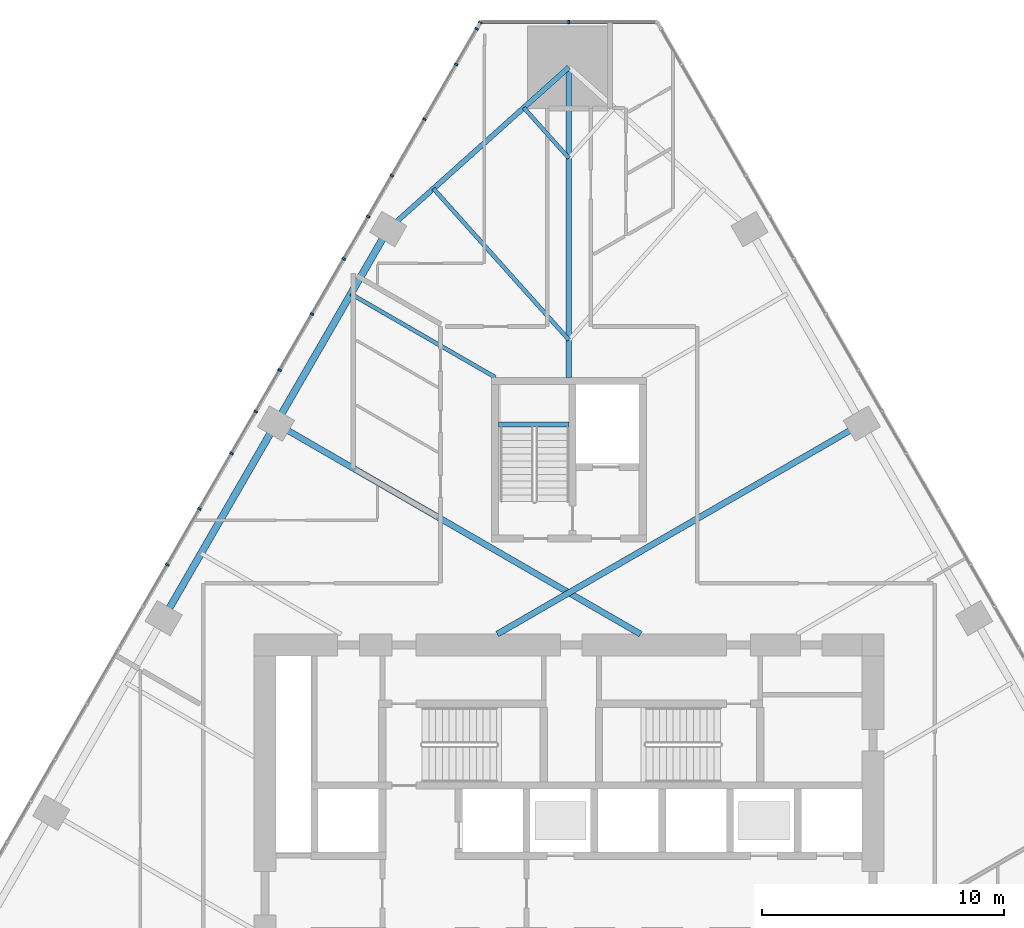
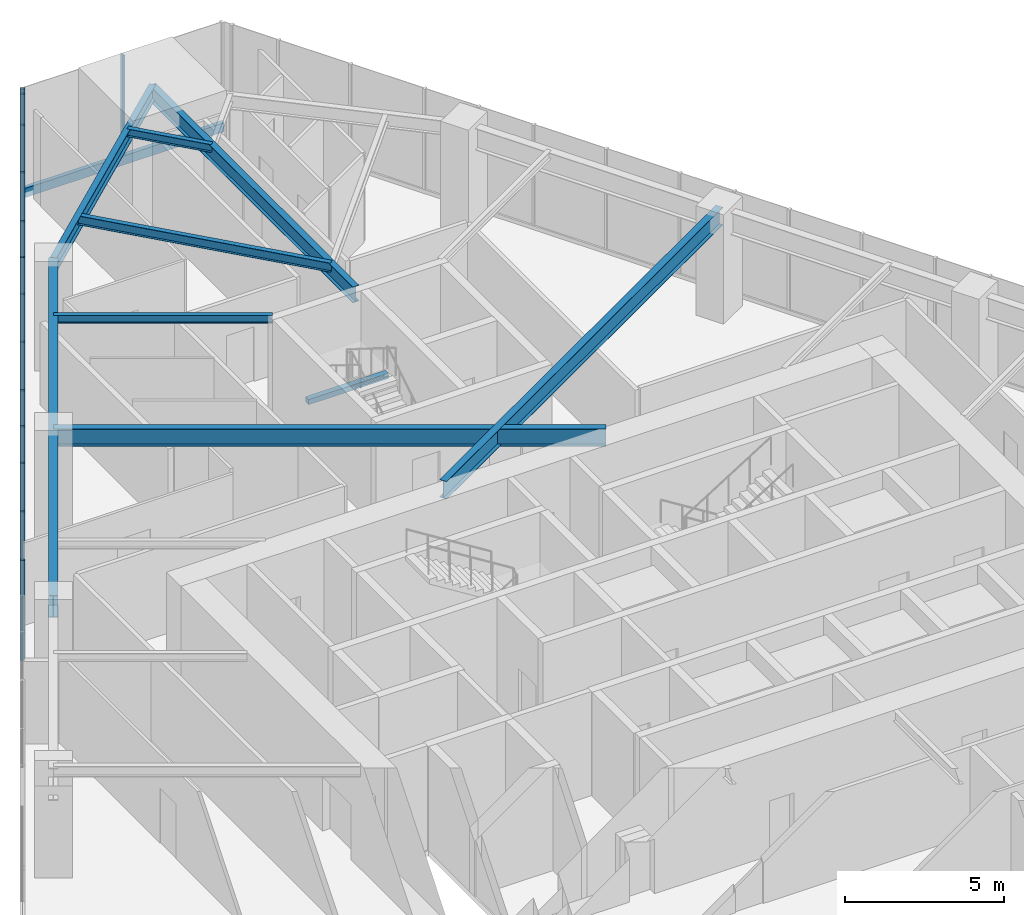
# One storey, part 9 of 22: 15 members, 9 beams, 2 elements without a shape of their own.
"""IFC4 building model written with IfcOpenShell, lengths in metres."""

from ifc_helpers import new_model, si_unit, direction, frame, origin, origin_2d, place, context, subcontext, project, spatial, rectangle, i_section, extrude, material, layer, layer_set, material_profile, profile_set, type_object, element, aggregate, save


model = new_model("IFC4")

# Units and contexts
model_context = context("Model", 3, precision=1e-05, world=origin(), true_north=direction((0.0, 1.0)))
body_context = subcontext(model_context, "Body", "Model", "MODEL_VIEW")
ifc_project = project(units=[si_unit("LENGTHUNIT", "METRE"), si_unit("AREAUNIT", "SQUARE_METRE"), si_unit("VOLUMEUNIT", "CUBIC_METRE"), si_unit("PLANEANGLEUNIT", "RADIAN"), si_unit("MASSUNIT", "GRAM", prefix="KILO")], contexts=[model_context])

# Site, building, storey
site_placement = place(None, origin())
site = spatial("IfcSite", under=ifc_project, at=site_placement, CompositionType="ELEMENT")
building_placement = place(site_placement, origin())
building = spatial("IfcBuilding", under=site, at=building_placement, Name="Firuza Gate Tower and Library", CompositionType="ELEMENT")
storey_placement = place(building_placement, frame((0.0, 0.0, 132.39990234375)))
storey = spatial("IfcBuildingStorey", under=building, at=storey_placement, Name="L30", CompositionType="ELEMENT", Elevation=132.39990234375)

# Curtain wall, member
ifc_material_1 = material(Name="Aluminium 6063-T6", Category="aluminium")
ifc_layer_1 = layer(ifc_material_1, 0.14990234375)
ifc_layer_set_1 = layer_set([ifc_layer_1], Name="Corner curtain wall, chamfers")
curtain_wall_type_1 = type_object("IfcCurtainWallType", Name="Corner curtain wall, chamfers", PredefinedType="NOTDEFINED", material=ifc_layer_set_1)
placement = place(storey_placement, origin())
curtain_wall_1 = element("IfcCurtainWall", 1, at=placement, inside=storey, type_object=curtain_wall_type_1, Name="CW4 L30 N corner", PredefinedType="NOTDEFINED")
ifc_material_2 = material(Name="Aluminium 6063-T6", Category="aluminium")
ifc_material_profile_1 = material_profile(ifc_material_2, rectangle(XDim=0.14990234375, YDim=0.080078125, at=origin_2d()))
ifc_profile_set_1 = profile_set([ifc_material_profile_1], Name="Aluminium 6063-T6")
member_type_1 = type_object("IfcMemberType", Name="Curtain wall mullion 80x150", PredefinedType="MULLION", material=ifc_profile_set_1)
member_1_placement = place(storey_placement, frame((75.0, 109.273681640625, 0.150146484375), z_axis=(0.0, 0.0, 1.0), x_axis=(0.0, -1.0, 0.0)))
member_1 = element("IfcMember", 2, at=member_1_placement, type_object=member_type_1, Name="Mullion", PredefinedType="MULLION", context=body_context, shape_type="SweptSolid", body=[
    extrude(rectangle(XDim=0.14990234375, YDim=0.080078125, at=origin_2d()), origin(), (0.0, 0.0, 1.0), 3.849853515625),
])

# Curtain wall, members
ifc_material_3 = material(Name="Aluminium 6063-T6", Category="aluminium")
ifc_layer_2 = layer(ifc_material_3, 0.14990234375)
ifc_layer_set_2 = layer_set([ifc_layer_2], Name="Unitised curtain wall, offices")
curtain_wall_type_2 = type_object("IfcCurtainWallType", Name="Unitised curtain wall, offices", PredefinedType="NOTDEFINED", material=ifc_layer_set_2)
curtain_wall_2 = element("IfcCurtainWall", 3, at=placement, inside=storey, type_object=curtain_wall_type_2, Name="CW1 L30 W face", PredefinedType="NOTDEFINED")
member_2_placement = place(storey_placement, frame((71.336669921875, 109.239013671875, 0.150146484375), z_axis=(0.0, 0.0, 1.0), x_axis=(0.866025403784, -0.5, 0.0)))
member_2 = element("IfcMember", 4, at=member_2_placement, type_object=member_type_1, Name="Mullion", PredefinedType="MULLION", context=body_context, shape_type="SweptSolid", body=[
    extrude(rectangle(XDim=0.14990234375, YDim=0.080078125, at=origin_2d()), origin(), (0.0, 0.0, 1.0), 3.849853515625),
])
member_3_placement = place(storey_placement, frame((69.034912109375, 105.25244140625, 0.150146484375), z_axis=(0.0, 0.0, 1.0), x_axis=(0.866025403784, -0.5, 0.0)))
member_3 = element("IfcMember", 5, at=member_3_placement, type_object=member_type_1, Name="Mullion", PredefinedType="MULLION", context=body_context, shape_type="SweptSolid", body=[
    extrude(rectangle(XDim=0.14990234375, YDim=0.080078125, at=origin_2d()), origin(), (0.0, 0.0, 1.0), 3.849853515625),
])
member_4_placement = place(storey_placement, frame((66.71337890625, 101.23095703125, 0.150146484375), z_axis=(0.0, 0.0, 1.0), x_axis=(0.866025403784, -0.5, 0.0)))
member_4 = element("IfcMember", 6, at=member_4_placement, type_object=member_type_1, Name="Mullion", PredefinedType="MULLION", context=body_context, shape_type="SweptSolid", body=[
    extrude(rectangle(XDim=0.14990234375, YDim=0.080078125, at=origin_2d()), origin(), (0.0, 0.0, 1.0), 3.849853515625),
])
member_5_placement = place(storey_placement, frame((64.3916015625, 97.209716796875, 0.150146484375), z_axis=(0.0, 0.0, 1.0), x_axis=(0.866025403784, -0.5, 0.0)))
member_5 = element("IfcMember", 7, at=member_5_placement, type_object=member_type_1, Name="Mullion", PredefinedType="MULLION", context=body_context, shape_type="SweptSolid", body=[
    extrude(rectangle(XDim=0.14990234375, YDim=0.080078125, at=origin_2d()), origin(), (0.0, 0.0, 1.0), 3.849853515625),
])
member_6_placement = place(storey_placement, frame((62.070068359375, 93.1884765625, 0.150146484375), z_axis=(0.0, 0.0, 1.0), x_axis=(0.866025403784, -0.5, 0.0)))
member_6 = element("IfcMember", 8, at=member_6_placement, type_object=member_type_1, Name="Mullion", PredefinedType="MULLION", context=body_context, shape_type="SweptSolid", body=[
    extrude(rectangle(XDim=0.14990234375, YDim=0.080078125, at=origin_2d()), origin(), (0.0, 0.0, 1.0), 3.849853515625),
])
member_7_placement = place(storey_placement, frame((59.748291015625, 89.167236328125, 0.150146484375), z_axis=(0.0, 0.0, 1.0), x_axis=(0.866025403784, -0.5, 0.0)))
member_7 = element("IfcMember", 9, at=member_7_placement, type_object=member_type_1, Name="Mullion", PredefinedType="MULLION", context=body_context, shape_type="SweptSolid", body=[
    extrude(rectangle(XDim=0.14990234375, YDim=0.080078125, at=origin_2d()), origin(), (0.0, 0.0, 1.0), 3.849853515625),
])
member_8_placement = place(storey_placement, frame((71.191162109375, 108.98681640625, 0.150146484375), z_axis=(0.0, 0.0, 1.0), x_axis=(0.866025403784, -0.5, 0.0)))
member_8 = element("IfcMember", 10, at=member_8_placement, type_object=member_type_1, Name="Mullion", PredefinedType="MULLION", context=body_context, shape_type="SweptSolid", body=[
    extrude(rectangle(XDim=0.14990234375, YDim=0.080078125, at=origin_2d()), origin(), (0.0, 0.0, 1.0), 3.849853515625),
])
member_9_placement = place(storey_placement, frame((70.34326171875, 107.51806640625, 0.150146484375), z_axis=(0.0, 0.0, 1.0), x_axis=(0.866025403784, -0.5, 0.0)))
member_9 = element("IfcMember", 11, at=member_9_placement, type_object=member_type_1, Name="Mullion", PredefinedType="MULLION", context=body_context, shape_type="SweptSolid", body=[
    extrude(rectangle(XDim=0.14990234375, YDim=0.080078125, at=origin_2d()), origin(), (0.0, 0.0, 1.0), 3.849853515625),
])
member_10_placement = place(storey_placement, frame((67.690673828125, 102.924072265625, 0.150146484375), z_axis=(0.0, 0.0, 1.0), x_axis=(0.866025403784, -0.5, 0.0)))
member_10 = element("IfcMember", 12, at=member_10_placement, type_object=member_type_1, Name="Mullion", PredefinedType="MULLION", context=body_context, shape_type="SweptSolid", body=[
    extrude(rectangle(XDim=0.14990234375, YDim=0.080078125, at=origin_2d()), origin(), (0.0, 0.0, 1.0), 3.849853515625),
])
member_11_placement = place(storey_placement, frame((65.70703125, 99.488037109375, 0.150146484375), z_axis=(0.0, 0.0, 1.0), x_axis=(0.866025403784, -0.5, 0.0)))
member_11 = element("IfcMember", 13, at=member_11_placement, type_object=member_type_1, Name="Mullion", PredefinedType="MULLION", context=body_context, shape_type="SweptSolid", body=[
    extrude(rectangle(XDim=0.14990234375, YDim=0.080078125, at=origin_2d()), origin(), (0.0, 0.0, 1.0), 3.849853515625),
])
member_12_placement = place(storey_placement, frame((63.0546875, 94.89404296875, 0.150146484375), z_axis=(0.0, 0.0, 1.0), x_axis=(0.866025403784, -0.5, 0.0)))
member_12 = element("IfcMember", 14, at=member_12_placement, type_object=member_type_1, Name="Mullion", PredefinedType="MULLION", context=body_context, shape_type="SweptSolid", body=[
    extrude(rectangle(XDim=0.14990234375, YDim=0.080078125, at=origin_2d()), origin(), (0.0, 0.0, 1.0), 3.849853515625),
])
member_13_placement = place(storey_placement, frame((61.07080078125, 91.4580078125, 0.150146484375), z_axis=(0.0, 0.0, 1.0), x_axis=(0.866025403784, -0.5, 0.0)))
member_13 = element("IfcMember", 15, at=member_13_placement, type_object=member_type_1, Name="Mullion", PredefinedType="MULLION", context=body_context, shape_type="SweptSolid", body=[
    extrude(rectangle(XDim=0.14990234375, YDim=0.080078125, at=origin_2d()), origin(), (0.0, 0.0, 1.0), 3.849853515625),
])
member_14_placement = place(storey_placement, frame((58.41845703125, 86.864013671875, 0.150146484375), z_axis=(0.0, 0.0, 1.0), x_axis=(0.866025403784, -0.5, 0.0)))
member_14 = element("IfcMember", 16, at=member_14_placement, type_object=member_type_1, Name="Mullion", PredefinedType="MULLION", context=body_context, shape_type="SweptSolid", body=[
    extrude(rectangle(XDim=0.14990234375, YDim=0.080078125, at=origin_2d()), origin(), (0.0, 0.0, 1.0), 3.849853515625),
])
aggregate(curtain_wall_2, [member_2, member_3, member_4, member_5, member_6, member_7, member_8, member_9, member_10, member_11, member_12, member_13, member_14])

# Member
ifc_material_4 = material(Name="Aluminium 6063-T6", Category="aluminium")
ifc_material_profile_2 = material_profile(ifc_material_4, rectangle(XDim=0.14990234375, YDim=0.35009765625, at=origin_2d()))
ifc_profile_set_2 = profile_set([ifc_material_profile_2], Name="Aluminium 6063-T6")
member_type_2 = type_object("IfcMemberType", Name="Curtain wall transom 350x150", PredefinedType="USERDEFINED", material=ifc_profile_set_2)
member_15_placement = place(storey_placement, frame((78.643310546875, 109.273681640625, -0.02490234375), z_axis=(-1.0, 0.0, 0.0), x_axis=(0.0, -1.0, 0.0)))
member_15 = element("IfcMember", 17, at=member_15_placement, type_object=member_type_2, Name="Transom", ObjectType="TRANSOM", PredefinedType="USERDEFINED", context=body_context, shape_type="SweptSolid", body=[
    extrude(rectangle(XDim=0.14990234375, YDim=0.35009765625, at=origin_2d()), origin(), (0.0, 0.0, 1.0), 7.28662109375),
])

aggregate(curtain_wall_1, [member_1, member_15])

# Beams
ifc_material_5 = material(Name="Concrete C35/45", Category="concrete")
ifc_material_profile_3 = material_profile(ifc_material_5, rectangle(XDim=0.199951171875, YDim=0.199951171875, at=origin_2d()))
ifc_profile_set_3 = profile_set([ifc_material_profile_3], Name="Concrete C35/45")
beam_type_1 = type_object("IfcBeamType", Name="Stair landing bearer 200x200", PredefinedType="BEAM", material=ifc_profile_set_3)
beam_1_placement = place(storey_placement, frame((75.0, 92.64990234375, 1.800048828125), z_axis=(-1.0, 0.0, 0.0), x_axis=(0.0, -1.0, 0.0)))
element("IfcBeam", 18, at=beam_1_placement, inside=storey, type_object=beam_type_1, Name="Landing bearer L30 stair 3", PredefinedType="BEAM", context=body_context, shape_type="SweptSolid", body=[
    extrude(rectangle(XDim=0.199951171875, YDim=0.199951171875, at=origin_2d()), origin(), (0.0, 0.0, 1.0), 2.89990234375),
])
ifc_material_6 = material(Name="Steel S355", Category="steel")
ifc_material_profile_4 = material_profile(ifc_material_6, i_section(OverallWidth=0.1650390625, OverallDepth=0.31005859375, WebThickness=0.005859375, FlangeThickness=0.009765625, at=origin_2d()))
ifc_profile_set_4 = profile_set([ifc_material_profile_4], Name="Steel S355")
beam_type_2 = type_object("IfcBeamType", Name="W310x39 Floor beam", PredefinedType="JOIST", material=ifc_profile_set_4)
beam_2_placement = place(storey_placement, frame((73.1357421875, 105.728515625, 3.84521484375), z_axis=(0.667287711118, -0.744800047389, 0.0), x_axis=(0.744800047389, 0.667287711118, 0.0)))
element("IfcBeam", 19, at=beam_2_placement, inside=storey, type_object=beam_type_2, Name="Floor beam L30 s70", PredefinedType="JOIST", context=body_context, shape_type="SweptSolid", body=[
    extrude(i_section(OverallWidth=0.1650390625, OverallDepth=0.31005859375, WebThickness=0.005859375, FlangeThickness=0.009765625, at=origin_2d()), origin(), (0.0, 0.0, 1.0), 2.793701171875),
])
beam_3_placement = place(storey_placement, frame((65.997802734375, 98.0419921875, 3.84521484375), z_axis=(0.866030259979, -0.49999158873, 0.0), x_axis=(0.49999158873, 0.866030259979, 0.0)))
element("IfcBeam", 20, at=beam_3_placement, inside=storey, type_object=beam_type_2, Name="Floor beam L30 s80", PredefinedType="JOIST", context=body_context, shape_type="SweptSolid", body=[
    extrude(i_section(OverallWidth=0.1650390625, OverallDepth=0.31005859375, WebThickness=0.005859375, FlangeThickness=0.009765625, at=origin_2d()), origin(), (0.0, 0.0, 1.0), 6.8837890625),
])
ifc_material_7 = material(Name="Steel S355", Category="steel")
ifc_material_profile_5 = material_profile(ifc_material_7, i_section(OverallWidth=0.1708984375, OverallDepth=0.35498046875, WebThickness=0.007080078125, FlangeThickness=0.01171875, at=origin_2d()))
ifc_profile_set_5 = profile_set([ifc_material_profile_5], Name="Steel S355")
beam_type_3 = type_object("IfcBeamType", Name="W360x51 Floor beam", PredefinedType="JOIST", material=ifc_profile_set_5)
beam_4_placement = place(storey_placement, frame((69.407470703125, 102.388671875, 3.822509765625), z_axis=(0.667242598302, -0.744840462792, 0.0), x_axis=(0.744840462792, 0.667242598302, 0.0)))
element("IfcBeam", 21, at=beam_4_placement, inside=storey, type_object=beam_type_3, Name="Floor beam L30 s71", PredefinedType="JOIST", context=body_context, shape_type="SweptSolid", body=[
    extrude(i_section(OverallWidth=0.1708984375, OverallDepth=0.35498046875, WebThickness=0.007080078125, FlangeThickness=0.01171875, at=origin_2d()), origin(), (0.0, 0.0, 1.0), 8.381591796875),
])
ifc_material_8 = material(Name="Steel S355", Category="steel")
ifc_material_profile_6 = material_profile(ifc_material_8, i_section(OverallWidth=0.212890625, OverallDepth=0.5390625, WebThickness=0.01171875, FlangeThickness=0.018798828125, at=origin_2d()))
ifc_profile_set_6 = profile_set([ifc_material_profile_6], Name="Steel S355")
beam_type_4 = type_object("IfcBeamType", Name="W530x109 Edge beam", PredefinedType="SPANDREL", material=ifc_profile_set_6)
beam_5_placement = place(storey_placement, frame((75.0, 107.398681640625, 3.730712890625), z_axis=(-0.744828518345, -0.667255931603, 0.0), x_axis=(0.667255931603, -0.744828518345, 0.0)))
element("IfcBeam", 22, at=beam_5_placement, inside=storey, type_object=beam_type_4, Name="Edge beam L30 e70", PredefinedType="SPANDREL", context=body_context, shape_type="SweptSolid", body=[
    extrude(i_section(OverallWidth=0.212890625, OverallDepth=0.5390625, WebThickness=0.01171875, FlangeThickness=0.018798828125, at=origin_2d()), origin(), (0.0, 0.0, 1.0), 10.011474609375),
])
ifc_material_9 = material(Name="Steel S355", Category="steel")
ifc_material_profile_7 = material_profile(ifc_material_9, i_section(OverallWidth=0.22802734375, OverallDepth=0.60302734375, WebThickness=0.010498046875, FlangeThickness=0.014892578125, at=origin_2d()))
ifc_profile_set_7 = profile_set([ifc_material_profile_7], Name="Steel S355")
beam_type_5 = type_object("IfcBeamType", Name="W610x101 Girder", PredefinedType="BEAM", material=ifc_profile_set_7)
beam_6_placement = place(storey_placement, frame((75.0, 107.398681640625, 3.698486328125), z_axis=(0.0, -1.0, 0.0), x_axis=(1.0, 0.0, 0.0)))
element("IfcBeam", 23, at=beam_6_placement, inside=storey, type_object=beam_type_5, Name="Girder L30 gN", PredefinedType="BEAM", context=body_context, shape_type="SweptSolid", body=[
    extrude(i_section(OverallWidth=0.22802734375, OverallDepth=0.60302734375, WebThickness=0.010498046875, FlangeThickness=0.014892578125, at=origin_2d()), origin(), (0.0, 0.0, 1.0), 12.798583984375),
])
ifc_material_10 = material(Name="Steel S355", Category="steel")
ifc_material_profile_8 = material_profile(ifc_material_10, i_section(OverallWidth=0.2529296875, OverallDepth=0.677978515625, WebThickness=0.01171875, FlangeThickness=0.016357421875, at=origin_2d()))
ifc_profile_set_8 = profile_set([ifc_material_profile_8], Name="Steel S355")
beam_type_6 = type_object("IfcBeamType", Name="W690x125 Floor beam", PredefinedType="JOIST", material=ifc_profile_set_8)
for number, where, z_axis, x_axis, name in (
    (24, (87.0927734375, 92.6884765625, 3.6611328125), (-0.866024616508, -0.5000013636, 0.0), (0.5000013636, -0.866024616508, 0.0), "Floor beam L30 s54"),
    (25, (62.9072265625, 92.6884765625, 3.6611328125), (0.866024616508, -0.5000013636, 0.0), (0.5000013636, 0.866024616508, 0.0), "Floor beam L30 s81"),
):
    element("IfcBeam", number, at=place(storey_placement, frame(where, z_axis=z_axis, x_axis=x_axis)), inside=storey, type_object=beam_type_6, Name=name, PredefinedType="JOIST", context=body_context, shape_type="SweptSolid", body=[
        extrude(i_section(OverallWidth=0.2529296875, OverallDepth=0.677978515625, WebThickness=0.01171875, FlangeThickness=0.016357421875, at=origin_2d()), origin(), (0.0, 0.0, 1.0), 17.376953125),
    ])
ifc_material_11 = material(Name="Steel S355", Category="steel")
ifc_material_profile_9 = material_profile(ifc_material_11, i_section(OverallWidth=0.2919921875, OverallDepth=0.8349609375, WebThickness=0.013916015625, FlangeThickness=0.018798828125, at=origin_2d()))
ifc_profile_set_9 = profile_set([ifc_material_profile_9], Name="Steel S355")
beam_type_7 = type_object("IfcBeamType", Name="W840x176 Edge beam", PredefinedType="SPANDREL", material=ifc_profile_set_9)
beam_7_placement = place(storey_placement, frame((67.543212890625, 100.718505859375, 3.58251953125), z_axis=(-0.499997478145, -0.866026859773, 0.0), x_axis=(0.866026859773, -0.499997478145, 0.0)))
element("IfcBeam", 26, at=beam_7_placement, inside=storey, type_object=beam_type_7, Name="Edge beam L30 e80", PredefinedType="SPANDREL", context=body_context, shape_type="SweptSolid", body=[
    extrude(i_section(OverallWidth=0.2919921875, OverallDepth=0.8349609375, WebThickness=0.013916015625, FlangeThickness=0.018798828125, at=origin_2d()), origin(), (0.0, 0.0, 1.0), 18.54443359375),
])

save(model, "model.ifc")
